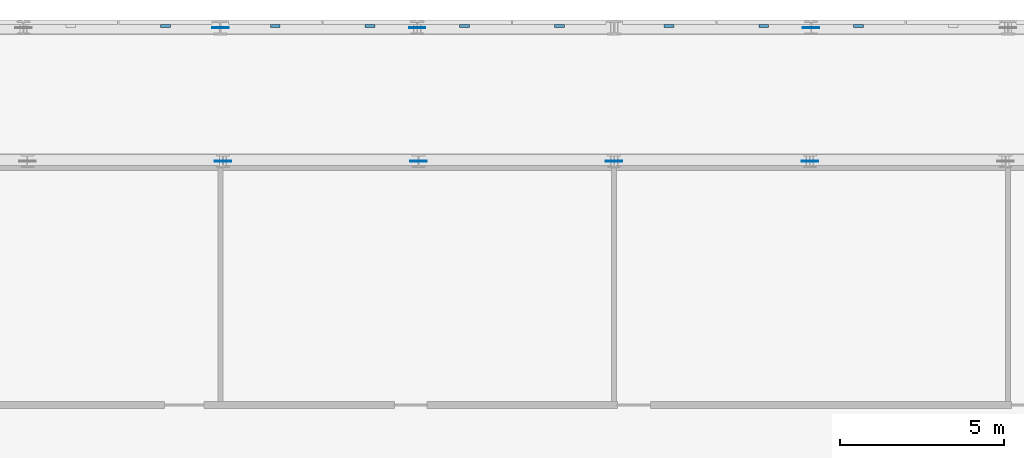
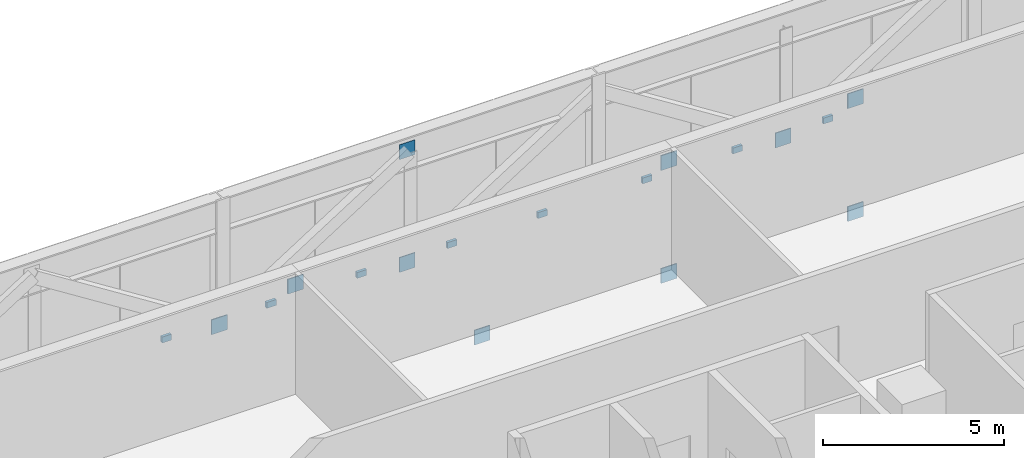
# One storey, part 17 of 26: 18 discrete accessories.
"""IFC4 building model written with IfcOpenShell, lengths in metres."""

from ifc_helpers import new_model, si_unit, direction, frame, origin, origin_2d, place, context, subcontext, project, spatial, rectangle, extrude, material, layer, layer_set, type_object, element, save


model = new_model("IFC4")

# Units and contexts
model_context = context("Model", 3, precision=1e-05, world=origin(), true_north=direction((0.0, 1.0)))
body_context = subcontext(model_context, "Body", "Model", "MODEL_VIEW")
ifc_project = project(units=[si_unit("LENGTHUNIT", "METRE"), si_unit("AREAUNIT", "SQUARE_METRE"), si_unit("VOLUMEUNIT", "CUBIC_METRE"), si_unit("PLANEANGLEUNIT", "RADIAN"), si_unit("MASSUNIT", "GRAM", prefix="KILO")], contexts=[model_context])

# Site, building, storey
site_placement = place(None, origin())
site = spatial("IfcSite", under=ifc_project, at=site_placement, CompositionType="ELEMENT")
building_placement = place(site_placement, origin())
building = spatial("IfcBuilding", under=site, at=building_placement, Name="Mahtab Terrace Research Tower", CompositionType="ELEMENT")
storey_placement = place(building_placement, frame((0.0, 0.0, 117.60009765625)))
storey = spatial("IfcBuildingStorey", under=building, at=storey_placement, Name="L27", CompositionType="ELEMENT", Elevation=117.60009765625)

# Discrete accessories
ifc_material_1 = material(Name="Black anodised aluminium", Category="aluminium")
discrete_accessory_type_1 = type_object("IfcDiscreteAccessoryType", Name="Facade bracket", PredefinedType="BRACKET", material=ifc_material_1)
for number, where, z_axis, x_axis, name in (
    (1, (13.443115234375, 29.044921875, -0.30029296875), (0.0, 0.0, 1.0), (-1.0, 0.0, 0.0), "Louvre bracket L27 33"),
    (2, (10.556884765625, 29.044921875, -0.30029296875), (0.0, 0.0, 1.0), (-1.0, 0.0, 0.0), "Louvre bracket L27 34"),
    (3, (7.6708984375, 29.044921875, -0.30029296875), (0.0, 0.0, 1.0), (-1.0, 0.0, 0.0), "Louvre bracket L27 35"),
    (4, (4.3291015625, 29.044921875, -0.30029296875), (0.0, 0.0, 1.0), (-1.0, 0.0, 0.0), "Louvre bracket L27 36"),
    (5, (1.443115234375, 29.044921875, -0.30029296875), (0.0, 0.0, 1.0), (-1.0, 0.0, 0.0), "Louvre bracket L27 37"),
    (6, (-1.443115234375, 29.044921875, -0.30029296875), (0.0, 0.0, 1.0), (-1.0, 0.0, 0.0), "Louvre bracket L27 38"),
    (7, (-4.3291015625, 29.044921875, -0.30029296875), (0.0, 0.0, 1.0), (-1.0, 0.0, 0.0), "Louvre bracket L27 39"),
    (8, (-7.6708984375, 29.044921875, -0.30029296875), (0.0, 0.0, 1.0), (-1.0, 0.0, 0.0), "Louvre bracket L27 40"),
):
    element("IfcDiscreteAccessory", number, at=place(storey_placement, frame(where, z_axis=z_axis, x_axis=x_axis)), inside=storey, type_object=discrete_accessory_type_1, Name=name, PredefinedType="BRACKET", context=body_context, shape_type="SweptSolid", body=[
        extrude(rectangle(XDim=0.300048828125, YDim=0.090087890625, at=origin_2d()), origin(), (0.0, 0.0, 1.0), 0.199951171875),
    ])
ifc_material_2 = material(Name="Steel ASTM A992 Gr 50", Category="steel")
ifc_layer = layer(ifc_material_2, 0.030029296875)
ifc_layer_set = layer_set([ifc_layer], Name="Gusset plate 500x500x30")
discrete_accessory_type_2 = type_object("IfcDiscreteAccessoryType", Name="Gusset plate 500x500x30", PredefinedType="USERDEFINED", material=ifc_layer_set)
for number, where, z_axis, x_axis, name in (
    (9, (-6.0, 29.0, -0.558837890625), (0.0, 0.0, 1.0), (1.0, 0.0, 0.0), "Gusset plate"),
    (10, (-5.9208984375, 24.927001953125, 3.251220703125), (0.0, 0.0, 1.0), (1.0, 0.0, 0.0), "Gusset plate"),
    (11, (0.0, 29.0, -0.558837890625), (0.0, 0.0, 1.0), (1.0, 0.0, 0.0), "Gusset plate"),
    (12, (0.0, 29.0, 3.251220703125), (0.0, 0.0, 1.0), (1.0, 0.0, 0.0), "Gusset plate"),
    (13, (0.0400390625, 24.927001953125, -0.558837890625), (0.0, 0.0, 1.0), (1.0, 0.0, 0.0), "Gusset plate"),
    (14, (6.0, 24.927001953125, -0.558837890625), (0.0, 0.0, 1.0), (1.0, 0.0, 0.0), "Gusset plate"),
    (15, (6.0, 24.927001953125, 3.251220703125), (0.0, 0.0, 1.0), (1.0, 0.0, 0.0), "Gusset plate"),
    (16, (11.9599609375, 24.927001953125, -0.558837890625), (0.0, 0.0, 1.0), (1.0, 0.0, 0.0), "Gusset plate"),
    (17, (11.9599609375, 24.927001953125, 3.251220703125), (0.0, 0.0, 1.0), (1.0, 0.0, 0.0), "Gusset plate"),
    (18, (12.0, 29.0, -0.558837890625), (0.0, 0.0, 1.0), (1.0, 0.0, 0.0), "Gusset plate"),
):
    element("IfcDiscreteAccessory", number, at=place(storey_placement, frame(where, z_axis=z_axis, x_axis=x_axis)), inside=storey, type_object=discrete_accessory_type_2, Name=name, ObjectType="GUSSET PLATE", PredefinedType="USERDEFINED", context=body_context, shape_type="SweptSolid", body=[
        extrude(rectangle(XDim=0.5, YDim=0.030029296875, at=origin_2d()), origin(), (0.0, 0.0, 1.0), 0.5),
    ])

save(model, "model.ifc")
